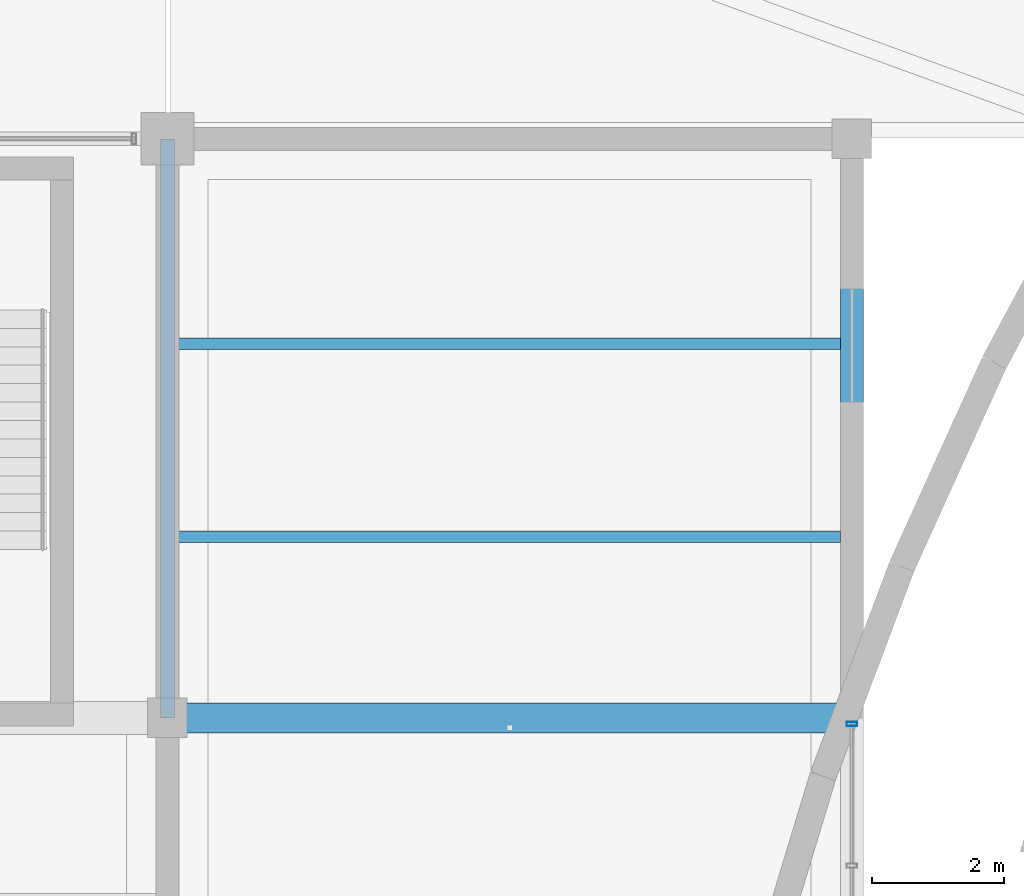
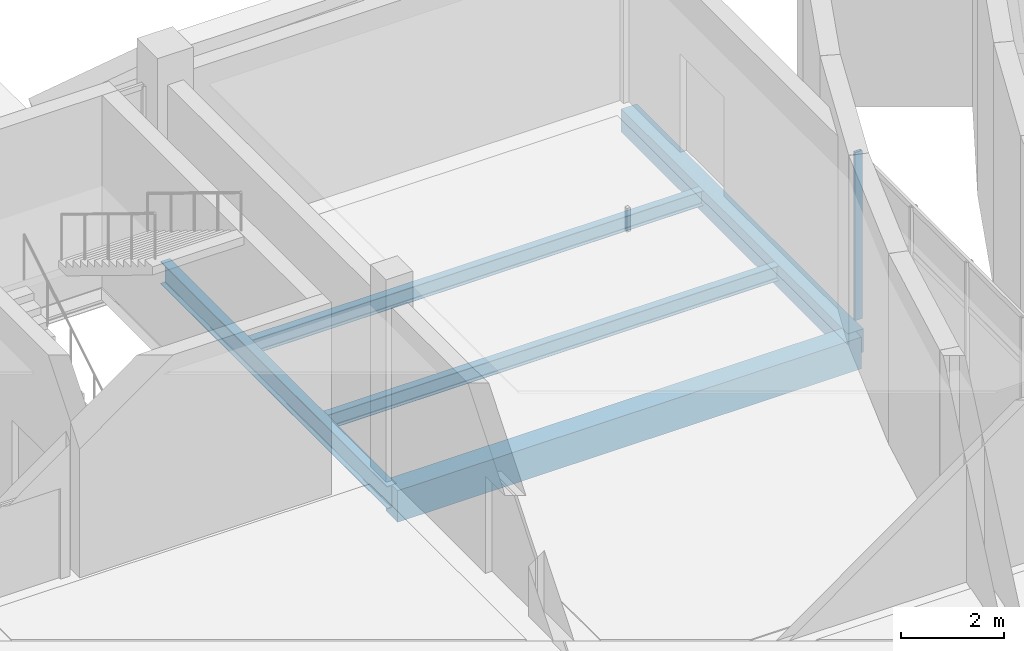
# One storey, part 62 of 116: 5 beams, 1 member, 1 element without a shape of its own.
"""IFC4 building model written with IfcOpenShell, lengths in metres."""

from ifc_helpers import new_model, si_unit, direction, frame, origin, origin_2d, place, context, subcontext, project, spatial, rectangle, hollow_rectangle, i_section, extrude, material, layer, layer_set, material_profile, profile_set, type_object, element, aggregate, save


model = new_model("IFC4")

# Units and contexts
model_context = context("Model", 3, precision=1e-05, world=origin(), true_north=direction((0.0, 1.0)))
body_context = subcontext(model_context, "Body", "Model", "MODEL_VIEW")
ifc_project = project(units=[si_unit("LENGTHUNIT", "METRE"), si_unit("AREAUNIT", "SQUARE_METRE"), si_unit("VOLUMEUNIT", "CUBIC_METRE"), si_unit("PLANEANGLEUNIT", "RADIAN"), si_unit("MASSUNIT", "GRAM", prefix="KILO")], contexts=[model_context])

# Site, building, storey
site_placement = place(None, origin())
site = spatial("IfcSite", under=ifc_project, at=site_placement, CompositionType="ELEMENT")
building_placement = place(site_placement, origin())
building = spatial("IfcBuilding", under=site, at=building_placement, Name="Chalmorin Arch Market", CompositionType="ELEMENT")
storey_placement = place(building_placement, origin())
storey = spatial("IfcBuildingStorey", under=building, at=storey_placement, Name="L00", CompositionType="ELEMENT", Elevation=0.0)

# Beam
ifc_material_1 = material(Name="Concrete C40/50", Category="concrete")
ifc_material_profile_1 = material_profile(ifc_material_1, rectangle(XDim=0.449951171875, YDim=0.75, at=origin_2d()), Name="RC450X750")
ifc_profile_set_1 = profile_set([ifc_material_profile_1], Name="Concrete C40/50")
beam_type_1 = type_object("IfcBeamType", Name="BasementConcreteGirder-450x750", PredefinedType="BEAM", material=ifc_profile_set_1)
beam_1_placement = place(storey_placement, frame((124.800048828125, 50.0, -0.72705078125), z_axis=(1.0, 0.0, 0.0), x_axis=(0.0, 1.0, 0.0)))
element("IfcBeam", 1, at=beam_1_placement, inside=storey, type_object=beam_type_1, Name="BG-RC2-0530", PredefinedType="BEAM", context=body_context, shape_type="SweptSolid", body=[
    extrude(rectangle(XDim=0.449951171875, YDim=0.75, at=origin_2d()), origin(), (0.0, 0.0, 1.0), 10.39990234375),
])

# Curtain wall, member
ifc_material_2 = material(Name="Aluminium 6063-T6", Category="aluminium")
ifc_layer = layer(ifc_material_2, 0.159912109375)
ifc_layer_set = layer_set([ifc_layer], Name="Aluminium 6063-T6")
curtain_wall_type = type_object("IfcCurtainWallType", Name="RiverfrontStorefrontCurtainWall-CW2-8620x3990", PredefinedType="NOTDEFINED", material=ifc_layer_set)
curtain_wall_placement = place(storey_placement, origin())
curtain_wall = element("IfcCurtainWall", 2, at=curtain_wall_placement, inside=storey, type_object=curtain_wall_type, Name="CW-02-194", PredefinedType="NOTDEFINED")
ifc_material_profile_2 = material_profile(ifc_material_2, hollow_rectangle(XDim=0.06494140625, YDim=0.159912109375, WallThickness=0.00390625, at=origin_2d()), Name="ALU65X160X4")
ifc_profile_set_2 = profile_set([ifc_material_profile_2], Name="Aluminium 6063-T6")
member_type = type_object("IfcMemberType", Name="CurtainWallMullion-65x160", PredefinedType="MULLION", material=ifc_profile_set_2)
member_placement = place(storey_placement, frame((135.199951171875, 49.909912109375, 0.0), z_axis=(0.0, 0.0, 1.0), x_axis=(0.0, 1.0, 0.0)))
member = element("IfcMember", 3, at=member_placement, type_object=member_type, Name="ML-194-05", PredefinedType="MULLION", context=body_context, shape_type="SweptSolid", body=[
    extrude(hollow_rectangle(XDim=0.06494140625, YDim=0.159912109375, WallThickness=0.00390625, at=origin_2d()), origin(), (0.0, 0.0, 1.0), 3.986083984375),
])
aggregate(curtain_wall, [member])

# Beams
ifc_material_3 = material(Name="Steel A992 Grade 50", Category="steel")
ifc_material_profile_3 = material_profile(ifc_material_3, i_section(OverallWidth=0.208984375, OverallDepth=0.532958984375, WebThickness=0.01025390625, FlangeThickness=0.015625, FilletRadius=0.02197265625, at=origin_2d()), Name="W21X62")
ifc_profile_set_3 = profile_set([ifc_material_profile_3], Name="Steel A992 Grade 50")
beam_type_2 = type_object("IfcBeamType", Name="PerimeterSpandrelBeam-W21X62", PredefinedType="SPANDREL", material=ifc_profile_set_3)
beam_2_placement = place(storey_placement, frame((124.800048828125, 50.0, -0.618408203125), z_axis=(0.0, 1.0, 0.0), x_axis=(-1.0, 0.0, 0.0)))
element("IfcBeam", 4, at=beam_2_placement, inside=storey, type_object=beam_type_2, Name="SP-W21-0110", PredefinedType="SPANDREL", context=body_context, shape_type="SweptSolid", body=[
    extrude(i_section(OverallWidth=0.208984375, OverallDepth=0.532958984375, WebThickness=0.01025390625, FlangeThickness=0.015625, FilletRadius=0.02197265625, at=origin_2d()), origin(), (0.0, 0.0, 1.0), 8.800048828125),
])
ifc_material_profile_4 = material_profile(ifc_material_3, i_section(OverallWidth=0.1708984375, OverallDepth=0.35107421875, WebThickness=0.0068359375, FlangeThickness=0.009765625, FilletRadius=0.014892578125, at=origin_2d()), Name="W14X30")
ifc_profile_set_4 = profile_set([ifc_material_profile_4], Name="Steel A992 Grade 50")
beam_type_3 = type_object("IfcBeamType", Name="SecondaryFloorJoist-W14X30", PredefinedType="JOIST", material=ifc_profile_set_4)
for number, where, z_axis, x_axis, name in (
    (5, (124.800048828125, 52.75341796875, -0.527587890625), (1.0, 0.0, 0.0), (0.0, 1.0, 0.0), "BJ-W14-0544"),
    (6, (124.800048828125, 55.686767578125, -0.527587890625), (1.0, 0.0, 0.0), (0.0, 1.0, 0.0), "BJ-W14-0545"),
):
    element("IfcBeam", number, at=place(storey_placement, frame(where, z_axis=z_axis, x_axis=x_axis)), inside=storey, type_object=beam_type_3, Name=name, PredefinedType="JOIST", context=body_context, shape_type="SweptSolid", body=[
        extrude(i_section(OverallWidth=0.1708984375, OverallDepth=0.35107421875, WebThickness=0.0068359375, FlangeThickness=0.009765625, FilletRadius=0.014892578125, at=origin_2d()), origin(), (0.0, 0.0, 1.0), 10.39990234375),
    ])
ifc_material_profile_5 = material_profile(ifc_material_1, rectangle(XDim=0.35009765625, YDim=0.550048828125, at=origin_2d()), Name="RC350X550")
ifc_profile_set_5 = profile_set([ifc_material_profile_5], Name="Concrete C40/50")
beam_type_4 = type_object("IfcBeamType", Name="TerraceEdgeBeam-350x550", PredefinedType="SPANDREL", material=ifc_profile_set_5)
beam_3_placement = place(storey_placement, frame((135.199951171875, 50.0, -0.626953125), z_axis=(0.0, 1.0, 0.0), x_axis=(-1.0, 0.0, 0.0)))
element("IfcBeam", 7, at=beam_3_placement, inside=storey, type_object=beam_type_4, Name="SP-RC1-0533", PredefinedType="SPANDREL", context=body_context, shape_type="SweptSolid", body=[
    extrude(rectangle(XDim=0.35009765625, YDim=0.550048828125, at=origin_2d()), origin(), (0.0, 0.0, 1.0), 8.800048828125),
])

save(model, "model.ifc")
